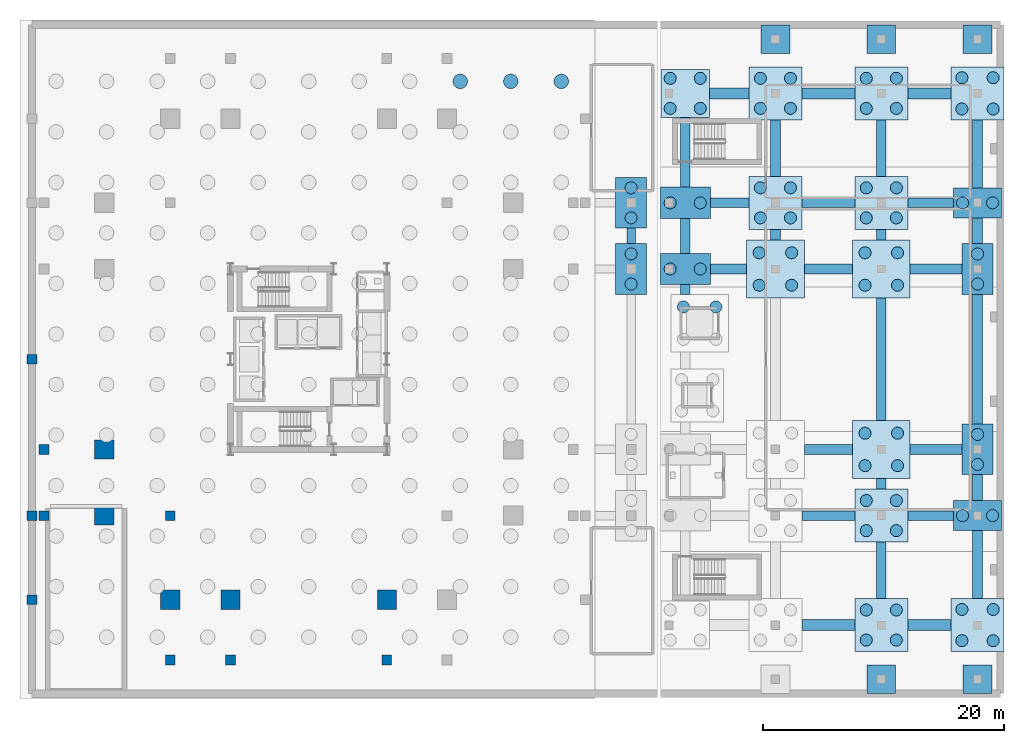
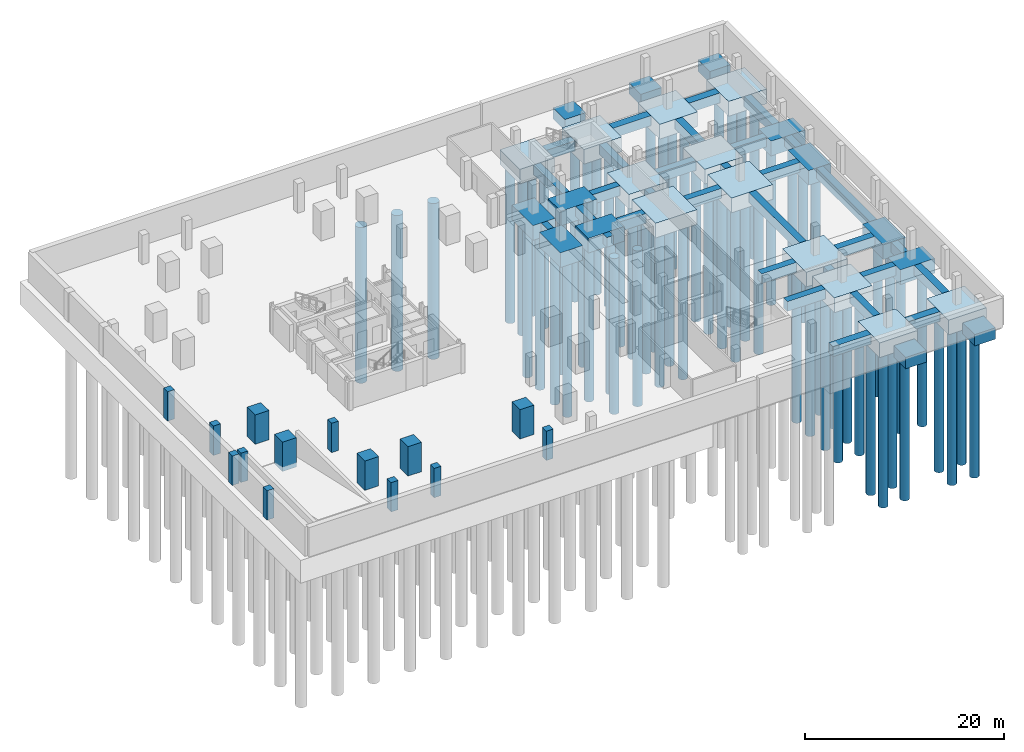
# One storey, part 2 of 13: 69 piles, 56 footings, 14 columns.
"""IFC4 building model written with IfcOpenShell, lengths in metres."""

from ifc_helpers import new_model, si_unit, direction, frame, origin, origin_2d, place, context, subcontext, project, spatial, rectangle, circle, extrude, material, material_profile, profile_set, type_object, element, save


model = new_model("IFC4")

# Units and contexts
model_context = context("Model", 3, precision=1e-05, world=origin(), true_north=direction((0.0, 1.0)))
body_context = subcontext(model_context, "Body", "Model", "MODEL_VIEW")
ifc_project = project(units=[si_unit("LENGTHUNIT", "METRE"), si_unit("AREAUNIT", "SQUARE_METRE"), si_unit("VOLUMEUNIT", "CUBIC_METRE"), si_unit("PLANEANGLEUNIT", "RADIAN"), si_unit("MASSUNIT", "GRAM", prefix="KILO")], contexts=[model_context])

# Site, building, storey
site_placement = place(None, origin())
site = spatial("IfcSite", under=ifc_project, at=site_placement, CompositionType="ELEMENT")
building_placement = place(site_placement, origin())
building = spatial("IfcBuilding", under=site, at=building_placement, Name="Barlavira Tower and Art Museum", CompositionType="ELEMENT")
storey_placement = place(building_placement, frame((0.0, 0.0, -7.199951171875)))
storey = spatial("IfcBuildingStorey", under=building, at=storey_placement, Name="B02", CompositionType="ELEMENT", Elevation=-7.199951171875)

# Footings
ifc_material_1 = material(Name="Concrete C50", Category="concrete")
footing_type_1 = type_object("IfcFootingType", Name="Four-Pile Cap 4000x4000x1800 Concrete C50", PredefinedType="PILE_CAP", material=ifc_material_1)
footing_1_placement = place(storey_placement, frame((31.300048828125, 22.10009765625, -1.80029296875), z_axis=(0.0, 0.0, 1.0), x_axis=(1.0, 0.0, 0.0)))
element("IfcFooting", 1, at=footing_1_placement, inside=storey, type_object=footing_type_1, Name="Pile Cap PC-M-1-6", PredefinedType="PILE_CAP", context=body_context, shape_type="SweptSolid", body=[
    extrude(rectangle(XDim=4.0, YDim=4.0, at=origin_2d()), origin(), (0.0, 0.0, 1.0), 1.800048828125),
])
footing_type_2 = type_object("IfcFootingType", Name="Four-Pile Cap 4400x4400x1800 Concrete C50", PredefinedType="PILE_CAP", material=ifc_material_1)
for number, where, z_axis, x_axis, name in (
    (2, (38.800048828125, 13.0, -1.80029296875), (0.0, 0.0, 1.0), (1.0, 0.0, 0.0), "Pile Cap PC-M-2-5"),
    (3, (38.800048828125, 22.10009765625, -1.80029296875), (0.0, 0.0, 1.0), (1.0, 0.0, 0.0), "Pile Cap PC-M-2-6"),
    (4, (47.60009765625, -22.10009765625, -1.80029296875), (0.0, 0.0, 1.0), (1.0, 0.0, 0.0), "Pile Cap PC-M-3-1"),
    (5, (47.60009765625, -13.0, -1.80029296875), (0.0, 0.0, 1.0), (1.0, 0.0, 0.0), "Pile Cap PC-M-3-2"),
    (6, (47.60009765625, 13.0, -1.80029296875), (0.0, 0.0, 1.0), (1.0, 0.0, 0.0), "Pile Cap PC-M-3-5"),
    (7, (47.60009765625, 22.10009765625, -1.80029296875), (0.0, 0.0, 1.0), (1.0, 0.0, 0.0), "Pile Cap PC-M-3-6"),
    (8, (55.60009765625, -22.10009765625, -1.80029296875), (0.0, 0.0, 1.0), (1.0, 0.0, 0.0), "Pile Cap PC-M-4-1"),
    (9, (55.60009765625, 22.10009765625, -1.80029296875), (0.0, 0.0, 1.0), (1.0, 0.0, 0.0), "Pile Cap PC-M-4-6"),
):
    element("IfcFooting", number, at=place(storey_placement, frame(where, z_axis=z_axis, x_axis=x_axis)), inside=storey, type_object=footing_type_2, Name=name, PredefinedType="PILE_CAP", context=body_context, shape_type="SweptSolid", body=[
        extrude(rectangle(XDim=4.39990234375, YDim=4.39990234375, at=origin_2d()), origin(), (0.0, 0.0, 1.0), 1.800048828125),
    ])
footing_type_3 = type_object("IfcFootingType", Name="Four-Pile Cap 4800x4800x1800 Concrete C50", PredefinedType="PILE_CAP", material=ifc_material_1)
for number, where, z_axis, x_axis, name in (
    (10, (38.800048828125, 7.5, -1.80029296875), (0.0, 0.0, 1.0), (1.0, 0.0, 0.0), "Pile Cap PC-M-2-4"),
    (11, (47.60009765625, -7.5, -1.80029296875), (0.0, 0.0, 1.0), (1.0, 0.0, 0.0), "Pile Cap PC-M-3-3"),
    (12, (47.60009765625, 7.5, -1.80029296875), (0.0, 0.0, 1.0), (1.0, 0.0, 0.0), "Pile Cap PC-M-3-4"),
):
    element("IfcFooting", number, at=place(storey_placement, frame(where, z_axis=z_axis, x_axis=x_axis)), inside=storey, type_object=footing_type_3, Name=name, PredefinedType="PILE_CAP", context=body_context, shape_type="SweptSolid", body=[
        extrude(rectangle(XDim=4.800048828125, YDim=4.800048828125, at=origin_2d()), origin(), (0.0, 0.0, 1.0), 1.800048828125),
    ])
footing_type_4 = type_object("IfcFootingType", Name="Garden Pergola Pad Footing 2400x2400x1400 Concrete C50", PredefinedType="PAD_FOOTING", material=ifc_material_1)
for number, where, z_axis, x_axis, name in (
    (13, (47.60009765625, -26.60009765625, -1.39990234375), (0.0, 0.0, 1.0), (1.0, 0.0, 0.0), "Sculpture Pergola Pad Footing PF-02"),
    (14, (55.60009765625, -26.60009765625, -1.39990234375), (0.0, 0.0, 1.0), (1.0, 0.0, 0.0), "Sculpture Pergola Pad Footing PF-03"),
    (15, (38.800048828125, 26.60009765625, -1.39990234375), (0.0, 0.0, 1.0), (1.0, 0.0, 0.0), "Sculpture Pergola Pad Footing PF-04"),
    (16, (47.60009765625, 26.60009765625, -1.39990234375), (0.0, 0.0, 1.0), (1.0, 0.0, 0.0), "Sculpture Pergola Pad Footing PF-05"),
    (17, (55.60009765625, 26.60009765625, -1.39990234375), (0.0, 0.0, 1.0), (1.0, 0.0, 0.0), "Sculpture Pergola Pad Footing PF-06"),
):
    element("IfcFooting", number, at=place(storey_placement, frame(where, z_axis=z_axis, x_axis=x_axis)), inside=storey, type_object=footing_type_4, Name=name, PredefinedType="PAD_FOOTING", context=body_context, shape_type="SweptSolid", body=[
        extrude(rectangle(XDim=2.39990234375, YDim=2.39990234375, at=origin_2d()), origin(), (0.0, 0.0, 1.0), 1.39990234375),
    ])

# Piles
ifc_material_profile_1 = material_profile(ifc_material_1, circle(Radius=0.5, at=origin_2d()), Name="BORED PILE D1000")
ifc_profile_set_1 = profile_set([ifc_material_profile_1], Name="Concrete C50")
pile_type_1 = type_object("IfcPileType", Name="Rock-Socketed Bored Pile D1000 Concrete C50", PredefinedType="BORED", material=ifc_profile_set_1)
for number, where, z_axis, x_axis, name in (
    (18, (26.800048828125, 6.25, -1.699951171875), (0.0, 0.0, -1.0), (1.0, 0.0, 0.0), "Museum Cap Bored Pile PL-M-005"),
    (19, (26.800048828125, 8.75, -1.699951171875), (0.0, 0.0, -1.0), (1.0, 0.0, 0.0), "Museum Cap Bored Pile PL-M-006"),
    (20, (26.800048828125, 11.75, -1.699951171875), (0.0, 0.0, -1.0), (1.0, 0.0, 0.0), "Museum Cap Bored Pile PL-M-007"),
    (21, (26.800048828125, 14.25, -1.699951171875), (0.0, 0.0, -1.0), (1.0, 0.0, 0.0), "Museum Cap Bored Pile PL-M-008"),
    (22, (30.050048828125, 7.5, -1.699951171875), (0.0, 0.0, -1.0), (1.0, 0.0, 0.0), "Museum Cap Bored Pile PL-M-017"),
    (23, (32.550048828125, 7.5, -1.699951171875), (0.0, 0.0, -1.0), (1.0, 0.0, 0.0), "Museum Cap Bored Pile PL-M-018"),
    (24, (30.050048828125, 13.0, -1.699951171875), (0.0, 0.0, -1.0), (1.0, 0.0, 0.0), "Museum Cap Bored Pile PL-M-019"),
    (25, (32.550048828125, 13.0, -1.699951171875), (0.0, 0.0, -1.0), (1.0, 0.0, 0.0), "Museum Cap Bored Pile PL-M-020"),
    (26, (30.050048828125, 20.85009765625, -1.699951171875), (0.0, 0.0, -1.0), (1.0, 0.0, 0.0), "Museum Cap Bored Pile PL-M-021"),
    (27, (32.550048828125, 20.85009765625, -1.699951171875), (0.0, 0.0, -1.0), (1.0, 0.0, 0.0), "Museum Cap Bored Pile PL-M-022"),
    (28, (30.050048828125, 23.35009765625, -1.699951171875), (0.0, 0.0, -1.0), (1.0, 0.0, 0.0), "Museum Cap Bored Pile PL-M-023"),
    (29, (32.550048828125, 23.35009765625, -1.699951171875), (0.0, 0.0, -1.0), (1.0, 0.0, 0.0), "Museum Cap Bored Pile PL-M-024"),
    (30, (37.449951171875, 6.14990234375, -1.699951171875), (0.0, 0.0, -1.0), (1.0, 0.0, 0.0), "Museum Cap Bored Pile PL-M-037"),
    (31, (40.14990234375, 6.14990234375, -1.699951171875), (0.0, 0.0, -1.0), (1.0, 0.0, 0.0), "Museum Cap Bored Pile PL-M-038"),
    (32, (37.449951171875, 8.85009765625, -1.699951171875), (0.0, 0.0, -1.0), (1.0, 0.0, 0.0), "Museum Cap Bored Pile PL-M-039"),
    (33, (40.14990234375, 8.85009765625, -1.699951171875), (0.0, 0.0, -1.0), (1.0, 0.0, 0.0), "Museum Cap Bored Pile PL-M-040"),
    (34, (37.550048828125, 11.75, -1.699951171875), (0.0, 0.0, -1.0), (1.0, 0.0, 0.0), "Museum Cap Bored Pile PL-M-041"),
    (35, (40.050048828125, 11.75, -1.699951171875), (0.0, 0.0, -1.0), (1.0, 0.0, 0.0), "Museum Cap Bored Pile PL-M-042"),
    (36, (37.550048828125, 14.25, -1.699951171875), (0.0, 0.0, -1.0), (1.0, 0.0, 0.0), "Museum Cap Bored Pile PL-M-043"),
    (37, (40.050048828125, 14.25, -1.699951171875), (0.0, 0.0, -1.0), (1.0, 0.0, 0.0), "Museum Cap Bored Pile PL-M-044"),
    (38, (37.550048828125, 20.85009765625, -1.699951171875), (0.0, 0.0, -1.0), (1.0, 0.0, 0.0), "Museum Cap Bored Pile PL-M-045"),
    (39, (40.050048828125, 20.85009765625, -1.699951171875), (0.0, 0.0, -1.0), (1.0, 0.0, 0.0), "Museum Cap Bored Pile PL-M-046"),
    (40, (37.550048828125, 23.35009765625, -1.699951171875), (0.0, 0.0, -1.0), (1.0, 0.0, 0.0), "Museum Cap Bored Pile PL-M-047"),
    (41, (40.050048828125, 23.35009765625, -1.699951171875), (0.0, 0.0, -1.0), (1.0, 0.0, 0.0), "Museum Cap Bored Pile PL-M-048"),
    (42, (46.35009765625, -23.35009765625, -1.699951171875), (0.0, 0.0, -1.0), (1.0, 0.0, 0.0), "Museum Cap Bored Pile PL-M-049"),
    (43, (48.85009765625, -23.35009765625, -1.699951171875), (0.0, 0.0, -1.0), (1.0, 0.0, 0.0), "Museum Cap Bored Pile PL-M-050"),
    (44, (46.35009765625, -20.85009765625, -1.699951171875), (0.0, 0.0, -1.0), (1.0, 0.0, 0.0), "Museum Cap Bored Pile PL-M-051"),
    (45, (48.85009765625, -20.85009765625, -1.699951171875), (0.0, 0.0, -1.0), (1.0, 0.0, 0.0), "Museum Cap Bored Pile PL-M-052"),
    (46, (46.35009765625, -14.25, -1.699951171875), (0.0, 0.0, -1.0), (1.0, 0.0, 0.0), "Museum Cap Bored Pile PL-M-053"),
    (47, (48.85009765625, -14.25, -1.699951171875), (0.0, 0.0, -1.0), (1.0, 0.0, 0.0), "Museum Cap Bored Pile PL-M-054"),
    (48, (46.35009765625, -11.75, -1.699951171875), (0.0, 0.0, -1.0), (1.0, 0.0, 0.0), "Museum Cap Bored Pile PL-M-055"),
    (49, (48.85009765625, -11.75, -1.699951171875), (0.0, 0.0, -1.0), (1.0, 0.0, 0.0), "Museum Cap Bored Pile PL-M-056"),
    (50, (46.25, -8.85009765625, -1.699951171875), (0.0, 0.0, -1.0), (1.0, 0.0, 0.0), "Museum Cap Bored Pile PL-M-057"),
    (51, (48.949951171875, -8.85009765625, -1.699951171875), (0.0, 0.0, -1.0), (1.0, 0.0, 0.0), "Museum Cap Bored Pile PL-M-058"),
    (52, (46.25, -6.14990234375, -1.699951171875), (0.0, 0.0, -1.0), (1.0, 0.0, 0.0), "Museum Cap Bored Pile PL-M-059"),
    (53, (48.949951171875, -6.14990234375, -1.699951171875), (0.0, 0.0, -1.0), (1.0, 0.0, 0.0), "Museum Cap Bored Pile PL-M-060"),
    (54, (46.25, 6.14990234375, -1.699951171875), (0.0, 0.0, -1.0), (1.0, 0.0, 0.0), "Museum Cap Bored Pile PL-M-061"),
    (55, (48.949951171875, 6.14990234375, -1.699951171875), (0.0, 0.0, -1.0), (1.0, 0.0, 0.0), "Museum Cap Bored Pile PL-M-062"),
    (56, (46.25, 8.85009765625, -1.699951171875), (0.0, 0.0, -1.0), (1.0, 0.0, 0.0), "Museum Cap Bored Pile PL-M-063"),
    (57, (48.949951171875, 8.85009765625, -1.699951171875), (0.0, 0.0, -1.0), (1.0, 0.0, 0.0), "Museum Cap Bored Pile PL-M-064"),
    (58, (46.35009765625, 11.75, -1.699951171875), (0.0, 0.0, -1.0), (1.0, 0.0, 0.0), "Museum Cap Bored Pile PL-M-065"),
    (59, (48.85009765625, 11.75, -1.699951171875), (0.0, 0.0, -1.0), (1.0, 0.0, 0.0), "Museum Cap Bored Pile PL-M-066"),
    (60, (46.35009765625, 14.25, -1.699951171875), (0.0, 0.0, -1.0), (1.0, 0.0, 0.0), "Museum Cap Bored Pile PL-M-067"),
    (61, (48.85009765625, 14.25, -1.699951171875), (0.0, 0.0, -1.0), (1.0, 0.0, 0.0), "Museum Cap Bored Pile PL-M-068"),
    (62, (46.35009765625, 20.85009765625, -1.699951171875), (0.0, 0.0, -1.0), (1.0, 0.0, 0.0), "Museum Cap Bored Pile PL-M-069"),
    (63, (48.85009765625, 20.85009765625, -1.699951171875), (0.0, 0.0, -1.0), (1.0, 0.0, 0.0), "Museum Cap Bored Pile PL-M-070"),
    (64, (46.35009765625, 23.35009765625, -1.699951171875), (0.0, 0.0, -1.0), (1.0, 0.0, 0.0), "Museum Cap Bored Pile PL-M-071"),
    (65, (48.85009765625, 23.35009765625, -1.699951171875), (0.0, 0.0, -1.0), (1.0, 0.0, 0.0), "Museum Cap Bored Pile PL-M-072"),
    (66, (54.300048828125, -23.39990234375, -1.699951171875), (0.0, 0.0, -1.0), (1.0, 0.0, 0.0), "Museum Cap Bored Pile PL-M-073"),
    (67, (56.89990234375, -23.39990234375, -1.699951171875), (0.0, 0.0, -1.0), (1.0, 0.0, 0.0), "Museum Cap Bored Pile PL-M-074"),
    (68, (54.300048828125, -20.800048828125, -1.699951171875), (0.0, 0.0, -1.0), (1.0, 0.0, 0.0), "Museum Cap Bored Pile PL-M-075"),
    (69, (56.89990234375, -20.800048828125, -1.699951171875), (0.0, 0.0, -1.0), (1.0, 0.0, 0.0), "Museum Cap Bored Pile PL-M-076"),
    (70, (54.35009765625, -13.0, -1.699951171875), (0.0, 0.0, -1.0), (1.0, 0.0, 0.0), "Museum Cap Bored Pile PL-M-077"),
    (71, (56.85009765625, -13.0, -1.699951171875), (0.0, 0.0, -1.0), (1.0, 0.0, 0.0), "Museum Cap Bored Pile PL-M-078"),
    (72, (55.60009765625, -8.75, -1.699951171875), (0.0, 0.0, -1.0), (1.0, 0.0, 0.0), "Museum Cap Bored Pile PL-M-079"),
    (73, (55.60009765625, -6.25, -1.699951171875), (0.0, 0.0, -1.0), (1.0, 0.0, 0.0), "Museum Cap Bored Pile PL-M-080"),
    (74, (55.60009765625, 6.25, -1.699951171875), (0.0, 0.0, -1.0), (1.0, 0.0, 0.0), "Museum Cap Bored Pile PL-M-081"),
    (75, (55.60009765625, 8.75, -1.699951171875), (0.0, 0.0, -1.0), (1.0, 0.0, 0.0), "Museum Cap Bored Pile PL-M-082"),
    (76, (54.35009765625, 13.0, -1.699951171875), (0.0, 0.0, -1.0), (1.0, 0.0, 0.0), "Museum Cap Bored Pile PL-M-083"),
    (77, (56.85009765625, 13.0, -1.699951171875), (0.0, 0.0, -1.0), (1.0, 0.0, 0.0), "Museum Cap Bored Pile PL-M-084"),
    (78, (54.300048828125, 20.800048828125, -1.699951171875), (0.0, 0.0, -1.0), (1.0, 0.0, 0.0), "Museum Cap Bored Pile PL-M-085"),
    (79, (56.89990234375, 20.800048828125, -1.699951171875), (0.0, 0.0, -1.0), (1.0, 0.0, 0.0), "Museum Cap Bored Pile PL-M-086"),
    (80, (54.300048828125, 23.39990234375, -1.699951171875), (0.0, 0.0, -1.0), (1.0, 0.0, 0.0), "Museum Cap Bored Pile PL-M-087"),
    (81, (56.89990234375, 23.39990234375, -1.699951171875), (0.0, 0.0, -1.0), (1.0, 0.0, 0.0), "Museum Cap Bored Pile PL-M-088"),
    (82, (31.14990234375, 4.35009765625, -1.699951171875), (0.0, 0.0, -1.0), (1.0, 0.0, 0.0), "Museum Cap Bored Pile PL-M-095"),
    (83, (33.85009765625, 4.35009765625, -1.699951171875), (0.0, 0.0, -1.0), (1.0, 0.0, 0.0), "Museum Cap Bored Pile PL-M-096"),
):
    element("IfcPile", number, at=place(storey_placement, frame(where, z_axis=z_axis, x_axis=x_axis)), inside=storey, type_object=pile_type_1, Name=name, PredefinedType="BORED", context=body_context, shape_type="SweptSolid", body=[
        extrude(circle(Radius=0.5, at=origin_2d()), origin(), (0.0, 0.0, 1.0), 19.10009765625),
    ])
ifc_material_profile_2 = material_profile(ifc_material_1, circle(Radius=0.60009765625, at=origin_2d()), Name="BORED PILE D1200")
ifc_profile_set_2 = profile_set([ifc_material_profile_2], Name="Concrete C50")
pile_type_2 = type_object("IfcPileType", Name="Rock-Socketed Bored Pile D1200 Concrete C50", PredefinedType="BORED", material=ifc_profile_set_2)
for number, where, z_axis, x_axis, name in (
    (84, (12.60009765625, 23.10009765625, -2.699951171875), (0.0, 0.0, -1.0), (1.0, 0.0, 0.0), "Tower Bored Pile PL-T-108"),
    (85, (16.800048828125, 23.10009765625, -2.699951171875), (0.0, 0.0, -1.0), (1.0, 0.0, 0.0), "Tower Bored Pile PL-T-120"),
    (86, (21.0, 23.10009765625, -2.699951171875), (0.0, 0.0, -1.0), (1.0, 0.0, 0.0), "Tower Bored Pile PL-T-132"),
):
    element("IfcPile", number, at=place(storey_placement, frame(where, z_axis=z_axis, x_axis=x_axis)), inside=storey, type_object=pile_type_2, Name=name, PredefinedType="BORED", context=body_context, shape_type="SweptSolid", body=[
        extrude(circle(Radius=0.60009765625, at=origin_2d()), origin(), (0.0, 0.0, 1.0), 19.10009765625),
    ])

# Footings
footing_type_5 = type_object("IfcFootingType", Name="Substructure Tie Beam 700x1100 Concrete C50", PredefinedType="FOOTING_BEAM", material=ifc_material_1)
footing_2_placement = place(storey_placement, frame((26.800048828125, 10.25, -1.10009765625), z_axis=(0.0, 0.0, 1.0), x_axis=(1.0, 0.0, 0.0)))
element("IfcFooting", 87, at=footing_2_placement, inside=storey, type_object=footing_type_5, Name="Arcade Longitudinal Tie Beam FB-006", PredefinedType="FOOTING_BEAM", context=body_context, shape_type="SweptSolid", body=[
    extrude(rectangle(XDim=0.699951171875, YDim=1.300048828125, at=origin_2d()), origin(), (0.0, 0.0, 1.0), 1.10009765625),
])
footing_type_6 = type_object("IfcFootingType", Name="Substructure Tie Beam 800x1200 Concrete C50", PredefinedType="FOOTING_BEAM", material=ifc_material_1)
footing_3_placement = place(storey_placement, frame((31.300048828125, 5.800048828125, -1.2001953125), z_axis=(0.0, 0.0, 1.0), x_axis=(1.0, 0.0, 0.0)))
element("IfcFooting", 88, at=footing_3_placement, inside=storey, type_object=footing_type_6, Name="Museum Tie Beam FB-015", PredefinedType="FOOTING_BEAM", context=body_context, shape_type="SweptSolid", body=[
    extrude(rectangle(XDim=0.800048828125, YDim=0.800048828125, at=origin_2d()), origin(), (0.0, 0.0, 1.0), 1.199951171875),
])
footing_4_placement = place(storey_placement, frame((34.89990234375, 7.5, -1.2001953125), z_axis=(0.0, 0.0, 1.0), x_axis=(1.0, 0.0, 0.0)))
element("IfcFooting", 89, at=footing_4_placement, inside=storey, type_object=footing_type_6, Name="Museum Tie Beam FB-016", PredefinedType="FOOTING_BEAM", context=body_context, shape_type="SweptSolid", body=[
    extrude(rectangle(XDim=3.0, YDim=0.800048828125, at=origin_2d()), origin(), (0.0, 0.0, 1.0), 1.199951171875),
])
footing_5_placement = place(storey_placement, frame((31.300048828125, 10.25, -1.2001953125), z_axis=(0.0, 0.0, 1.0), x_axis=(1.0, 0.0, 0.0)))
element("IfcFooting", 90, at=footing_5_placement, inside=storey, type_object=footing_type_6, Name="Museum Tie Beam FB-017", PredefinedType="FOOTING_BEAM", context=body_context, shape_type="SweptSolid", body=[
    extrude(rectangle(XDim=0.800048828125, YDim=2.89990234375, at=origin_2d()), origin(), (0.0, 0.0, 1.0), 1.199951171875),
])
footing_6_placement = place(storey_placement, frame((35.0, 13.0, -1.2001953125), z_axis=(0.0, 0.0, 1.0), x_axis=(1.0, 0.0, 0.0)))
element("IfcFooting", 91, at=footing_6_placement, inside=storey, type_object=footing_type_6, Name="Museum Tie Beam FB-018", PredefinedType="FOOTING_BEAM", context=body_context, shape_type="SweptSolid", body=[
    extrude(rectangle(XDim=3.199951171875, YDim=0.800048828125, at=origin_2d()), origin(), (0.0, 0.0, 1.0), 1.199951171875),
])
footing_7_placement = place(storey_placement, frame((31.300048828125, 17.199951171875, -1.2001953125), z_axis=(0.0, 0.0, 1.0), x_axis=(1.0, 0.0, 0.0)))
element("IfcFooting", 92, at=footing_7_placement, inside=storey, type_object=footing_type_6, Name="Museum Tie Beam FB-019", PredefinedType="FOOTING_BEAM", context=body_context, shape_type="SweptSolid", body=[
    extrude(rectangle(XDim=0.800048828125, YDim=5.800048828125, at=origin_2d()), origin(), (0.0, 0.0, 1.0), 1.199951171875),
])
footing_8_placement = place(storey_placement, frame((43.199951171875, -13.0, -1.2001953125), z_axis=(0.0, 0.0, 1.0), x_axis=(1.0, 0.0, 0.0)))
element("IfcFooting", 93, at=footing_8_placement, inside=storey, type_object=footing_type_6, Name="Museum Tie Beam FB-023", PredefinedType="FOOTING_BEAM", context=body_context, shape_type="SweptSolid", body=[
    extrude(rectangle(XDim=4.39990234375, YDim=0.800048828125, at=origin_2d()), origin(), (0.0, 0.0, 1.0), 1.199951171875),
])
for number, where, z_axis, x_axis, name in (
    (94, (43.199951171875, -7.5, -1.2001953125), (0.0, 0.0, 1.0), (1.0, 0.0, 0.0), "Museum Tie Beam FB-025"),
    (95, (43.199951171875, 7.5, -1.2001953125), (0.0, 0.0, 1.0), (1.0, 0.0, 0.0), "Museum Tie Beam FB-027"),
):
    element("IfcFooting", number, at=place(storey_placement, frame(where, z_axis=z_axis, x_axis=x_axis)), inside=storey, type_object=footing_type_6, Name=name, PredefinedType="FOOTING_BEAM", context=body_context, shape_type="SweptSolid", body=[
        extrude(rectangle(XDim=4.0, YDim=0.800048828125, at=origin_2d()), origin(), (0.0, 0.0, 1.0), 1.199951171875),
    ])
footing_9_placement = place(storey_placement, frame((38.800048828125, 10.35009765625, -1.2001953125), z_axis=(0.0, 0.0, 1.0), x_axis=(1.0, 0.0, 0.0)))
element("IfcFooting", 96, at=footing_9_placement, inside=storey, type_object=footing_type_6, Name="Museum Tie Beam FB-028", PredefinedType="FOOTING_BEAM", context=body_context, shape_type="SweptSolid", body=[
    extrude(rectangle(XDim=0.800048828125, YDim=0.89990234375, at=origin_2d()), origin(), (0.0, 0.0, 1.0), 1.199951171875),
])
footing_10_placement = place(storey_placement, frame((43.199951171875, 13.0, -1.2001953125), z_axis=(0.0, 0.0, 1.0), x_axis=(1.0, 0.0, 0.0)))
element("IfcFooting", 97, at=footing_10_placement, inside=storey, type_object=footing_type_6, Name="Museum Tie Beam FB-029", PredefinedType="FOOTING_BEAM", context=body_context, shape_type="SweptSolid", body=[
    extrude(rectangle(XDim=4.39990234375, YDim=0.800048828125, at=origin_2d()), origin(), (0.0, 0.0, 1.0), 1.199951171875),
])
for number, where, z_axis, x_axis, name in (
    (98, (38.800048828125, 17.550048828125, -1.2001953125), (0.0, 0.0, 1.0), (1.0, 0.0, 0.0), "Museum Tie Beam FB-030"),
    (99, (47.60009765625, -17.550048828125, -1.2001953125), (0.0, 0.0, 1.0), (1.0, 0.0, 0.0), "Museum Tie Beam FB-033"),
):
    element("IfcFooting", number, at=place(storey_placement, frame(where, z_axis=z_axis, x_axis=x_axis)), inside=storey, type_object=footing_type_6, Name=name, PredefinedType="FOOTING_BEAM", context=body_context, shape_type="SweptSolid", body=[
        extrude(rectangle(XDim=0.800048828125, YDim=4.699951171875, at=origin_2d()), origin(), (0.0, 0.0, 1.0), 1.199951171875),
    ])
footing_11_placement = place(storey_placement, frame((51.699951171875, -13.0, -1.2001953125), z_axis=(0.0, 0.0, 1.0), x_axis=(1.0, 0.0, 0.0)))
element("IfcFooting", 100, at=footing_11_placement, inside=storey, type_object=footing_type_6, Name="Museum Tie Beam FB-034", PredefinedType="FOOTING_BEAM", context=body_context, shape_type="SweptSolid", body=[
    extrude(rectangle(XDim=3.800048828125, YDim=0.800048828125, at=origin_2d()), origin(), (0.0, 0.0, 1.0), 1.199951171875),
])
footing_12_placement = place(storey_placement, frame((47.60009765625, -10.35009765625, -1.2001953125), z_axis=(0.0, 0.0, 1.0), x_axis=(1.0, 0.0, 0.0)))
element("IfcFooting", 101, at=footing_12_placement, inside=storey, type_object=footing_type_6, Name="Museum Tie Beam FB-035", PredefinedType="FOOTING_BEAM", context=body_context, shape_type="SweptSolid", body=[
    extrude(rectangle(XDim=0.800048828125, YDim=0.89990234375, at=origin_2d()), origin(), (0.0, 0.0, 1.0), 1.199951171875),
])
footing_13_placement = place(storey_placement, frame((52.14990234375, -7.5, -1.2001953125), z_axis=(0.0, 0.0, 1.0), x_axis=(1.0, 0.0, 0.0)))
element("IfcFooting", 102, at=footing_13_placement, inside=storey, type_object=footing_type_6, Name="Museum Tie Beam FB-036", PredefinedType="FOOTING_BEAM", context=body_context, shape_type="SweptSolid", body=[
    extrude(rectangle(XDim=4.300048828125, YDim=0.800048828125, at=origin_2d()), origin(), (0.0, 0.0, 1.0), 1.199951171875),
])
footing_14_placement = place(storey_placement, frame((47.60009765625, 0.0, -1.2001953125), z_axis=(0.0, 0.0, 1.0), x_axis=(1.0, 0.0, 0.0)))
element("IfcFooting", 103, at=footing_14_placement, inside=storey, type_object=footing_type_6, Name="Museum Tie Beam FB-037", PredefinedType="FOOTING_BEAM", context=body_context, shape_type="SweptSolid", body=[
    extrude(rectangle(XDim=0.800048828125, YDim=10.199951171875, at=origin_2d()), origin(), (0.0, 0.0, 1.0), 1.199951171875),
])
footing_15_placement = place(storey_placement, frame((52.14990234375, 7.5, -1.2001953125), z_axis=(0.0, 0.0, 1.0), x_axis=(1.0, 0.0, 0.0)))
element("IfcFooting", 104, at=footing_15_placement, inside=storey, type_object=footing_type_6, Name="Museum Tie Beam FB-038", PredefinedType="FOOTING_BEAM", context=body_context, shape_type="SweptSolid", body=[
    extrude(rectangle(XDim=4.300048828125, YDim=0.800048828125, at=origin_2d()), origin(), (0.0, 0.0, 1.0), 1.199951171875),
])
footing_16_placement = place(storey_placement, frame((47.60009765625, 10.35009765625, -1.2001953125), z_axis=(0.0, 0.0, 1.0), x_axis=(1.0, 0.0, 0.0)))
element("IfcFooting", 105, at=footing_16_placement, inside=storey, type_object=footing_type_6, Name="Museum Tie Beam FB-039", PredefinedType="FOOTING_BEAM", context=body_context, shape_type="SweptSolid", body=[
    extrude(rectangle(XDim=0.800048828125, YDim=0.89990234375, at=origin_2d()), origin(), (0.0, 0.0, 1.0), 1.199951171875),
])
footing_17_placement = place(storey_placement, frame((51.699951171875, 13.0, -1.2001953125), z_axis=(0.0, 0.0, 1.0), x_axis=(1.0, 0.0, 0.0)))
element("IfcFooting", 106, at=footing_17_placement, inside=storey, type_object=footing_type_6, Name="Museum Tie Beam FB-040", PredefinedType="FOOTING_BEAM", context=body_context, shape_type="SweptSolid", body=[
    extrude(rectangle(XDim=3.800048828125, YDim=0.800048828125, at=origin_2d()), origin(), (0.0, 0.0, 1.0), 1.199951171875),
])
footing_18_placement = place(storey_placement, frame((47.60009765625, 17.550048828125, -1.2001953125), z_axis=(0.0, 0.0, 1.0), x_axis=(1.0, 0.0, 0.0)))
element("IfcFooting", 107, at=footing_18_placement, inside=storey, type_object=footing_type_6, Name="Museum Tie Beam FB-041", PredefinedType="FOOTING_BEAM", context=body_context, shape_type="SweptSolid", body=[
    extrude(rectangle(XDim=0.800048828125, YDim=4.699951171875, at=origin_2d()), origin(), (0.0, 0.0, 1.0), 1.199951171875),
])
footing_19_placement = place(storey_placement, frame((55.60009765625, -17.074951171875, -1.2001953125), z_axis=(0.0, 0.0, 1.0), x_axis=(1.0, 0.0, 0.0)))
element("IfcFooting", 108, at=footing_19_placement, inside=storey, type_object=footing_type_6, Name="Museum Tie Beam FB-043", PredefinedType="FOOTING_BEAM", context=body_context, shape_type="SweptSolid", body=[
    extrude(rectangle(XDim=0.800048828125, YDim=5.64990234375, at=origin_2d()), origin(), (0.0, 0.0, 1.0), 1.199951171875),
])
footing_20_placement = place(storey_placement, frame((55.60009765625, -10.675048828125, -1.2001953125), z_axis=(0.0, 0.0, 1.0), x_axis=(1.0, 0.0, 0.0)))
element("IfcFooting", 109, at=footing_20_placement, inside=storey, type_object=footing_type_6, Name="Museum Tie Beam FB-044", PredefinedType="FOOTING_BEAM", context=body_context, shape_type="SweptSolid", body=[
    extrude(rectangle(XDim=0.800048828125, YDim=2.14990234375, at=origin_2d()), origin(), (0.0, 0.0, 1.0), 1.199951171875),
])
footing_21_placement = place(storey_placement, frame((55.60009765625, 0.0, -1.2001953125), z_axis=(0.0, 0.0, 1.0), x_axis=(1.0, 0.0, 0.0)))
element("IfcFooting", 110, at=footing_21_placement, inside=storey, type_object=footing_type_6, Name="Museum Tie Beam FB-045", PredefinedType="FOOTING_BEAM", context=body_context, shape_type="SweptSolid", body=[
    extrude(rectangle(XDim=0.800048828125, YDim=10.800048828125, at=origin_2d()), origin(), (0.0, 0.0, 1.0), 1.199951171875),
])
footing_22_placement = place(storey_placement, frame((55.60009765625, 10.675048828125, -1.2001953125), z_axis=(0.0, 0.0, 1.0), x_axis=(1.0, 0.0, 0.0)))
element("IfcFooting", 111, at=footing_22_placement, inside=storey, type_object=footing_type_6, Name="Museum Tie Beam FB-046", PredefinedType="FOOTING_BEAM", context=body_context, shape_type="SweptSolid", body=[
    extrude(rectangle(XDim=0.800048828125, YDim=2.14990234375, at=origin_2d()), origin(), (0.0, 0.0, 1.0), 1.199951171875),
])
footing_23_placement = place(storey_placement, frame((55.60009765625, 17.074951171875, -1.2001953125), z_axis=(0.0, 0.0, 1.0), x_axis=(1.0, 0.0, 0.0)))
element("IfcFooting", 112, at=footing_23_placement, inside=storey, type_object=footing_type_6, Name="Museum Tie Beam FB-047", PredefinedType="FOOTING_BEAM", context=body_context, shape_type="SweptSolid", body=[
    extrude(rectangle(XDim=0.800048828125, YDim=5.64990234375, at=origin_2d()), origin(), (0.0, 0.0, 1.0), 1.199951171875),
])
footing_type_7 = type_object("IfcFootingType", Name="Substructure Tie Beam 900x1200 Concrete C50", PredefinedType="FOOTING_BEAM", material=ifc_material_1)
footing_24_placement = place(storey_placement, frame((34.949951171875, 22.10009765625, -1.2001953125), z_axis=(0.0, 0.0, 1.0), x_axis=(1.0, 0.0, 0.0)))
element("IfcFooting", 113, at=footing_24_placement, inside=storey, type_object=footing_type_7, Name="Museum Tie Beam FB-020", PredefinedType="FOOTING_BEAM", context=body_context, shape_type="SweptSolid", body=[
    extrude(rectangle(XDim=3.300048828125, YDim=0.89990234375, at=origin_2d()), origin(), (0.0, 0.0, 1.0), 1.199951171875),
])
for number, where, z_axis, x_axis, name in (
    (114, (43.199951171875, -22.10009765625, -1.2001953125), (0.0, 0.0, 1.0), (1.0, 0.0, 0.0), "Museum Tie Beam FB-021"),
    (115, (43.199951171875, 22.10009765625, -1.2001953125), (0.0, 0.0, 1.0), (1.0, 0.0, 0.0), "Museum Tie Beam FB-031"),
):
    element("IfcFooting", number, at=place(storey_placement, frame(where, z_axis=z_axis, x_axis=x_axis)), inside=storey, type_object=footing_type_7, Name=name, PredefinedType="FOOTING_BEAM", context=body_context, shape_type="SweptSolid", body=[
        extrude(rectangle(XDim=4.39990234375, YDim=0.89990234375, at=origin_2d()), origin(), (0.0, 0.0, 1.0), 1.199951171875),
    ])
for number, where, z_axis, x_axis, name in (
    (116, (51.60009765625, -22.10009765625, -1.2001953125), (0.0, 0.0, 1.0), (1.0, 0.0, 0.0), "Museum Tie Beam FB-032"),
    (117, (51.60009765625, 22.10009765625, -1.2001953125), (0.0, 0.0, 1.0), (1.0, 0.0, 0.0), "Museum Tie Beam FB-042"),
):
    element("IfcFooting", number, at=place(storey_placement, frame(where, z_axis=z_axis, x_axis=x_axis)), inside=storey, type_object=footing_type_7, Name=name, PredefinedType="FOOTING_BEAM", context=body_context, shape_type="SweptSolid", body=[
        extrude(rectangle(XDim=3.60009765625, YDim=0.89990234375, at=origin_2d()), origin(), (0.0, 0.0, 1.0), 1.199951171875),
    ])
footing_type_8 = type_object("IfcFootingType", Name="Two-Pile Cap 2600x4200x1800 Concrete C50", PredefinedType="PILE_CAP", material=ifc_material_1)
for number, where, z_axis, x_axis, name in (
    (118, (26.800048828125, 7.5, -1.80029296875), (0.0, 0.0, 1.0), (1.0, 0.0, 0.0), "Pile Cap PC-ARC-3"),
    (119, (26.800048828125, 13.0, -1.80029296875), (0.0, 0.0, 1.0), (1.0, 0.0, 0.0), "Pile Cap PC-ARC-4"),
    (120, (55.60009765625, -7.5, -1.80029296875), (0.0, 0.0, 1.0), (1.0, 0.0, 0.0), "Pile Cap PC-M-4-3"),
    (121, (55.60009765625, 7.5, -1.80029296875), (0.0, 0.0, 1.0), (1.0, 0.0, 0.0), "Pile Cap PC-M-4-4"),
):
    element("IfcFooting", number, at=place(storey_placement, frame(where, z_axis=z_axis, x_axis=x_axis)), inside=storey, type_object=footing_type_8, Name=name, PredefinedType="PILE_CAP", context=body_context, shape_type="SweptSolid", body=[
        extrude(rectangle(XDim=2.60009765625, YDim=4.199951171875, at=origin_2d()), origin(), (0.0, 0.0, 1.0), 1.800048828125),
    ])
footing_type_9 = type_object("IfcFootingType", Name="Two-Pile Cap 4000x2500x1800 Concrete C50", PredefinedType="PILE_CAP", material=ifc_material_1)
for number, where, z_axis, x_axis, name in (
    (122, (55.60009765625, -13.0, -1.80029296875), (0.0, 0.0, 1.0), (1.0, 0.0, 0.0), "Pile Cap PC-M-4-2"),
    (123, (55.60009765625, 13.0, -1.80029296875), (0.0, 0.0, 1.0), (1.0, 0.0, 0.0), "Pile Cap PC-M-4-5"),
):
    element("IfcFooting", number, at=place(storey_placement, frame(where, z_axis=z_axis, x_axis=x_axis)), inside=storey, type_object=footing_type_9, Name=name, PredefinedType="PILE_CAP", context=body_context, shape_type="SweptSolid", body=[
        extrude(rectangle(XDim=4.0, YDim=2.5, at=origin_2d()), origin(), (0.0, 0.0, 1.0), 1.800048828125),
    ])
footing_type_10 = type_object("IfcFootingType", Name="Two-Pile Cap 4200x2600x1800 Concrete C50", PredefinedType="PILE_CAP", material=ifc_material_1)
for number, where, z_axis, x_axis, name in (
    (124, (31.300048828125, 7.5, -1.80029296875), (0.0, 0.0, 1.0), (1.0, 0.0, 0.0), "Pile Cap PC-M-1-4"),
    (125, (31.300048828125, 13.0, -1.80029296875), (0.0, 0.0, 1.0), (1.0, 0.0, 0.0), "Pile Cap PC-M-1-5"),
):
    element("IfcFooting", number, at=place(storey_placement, frame(where, z_axis=z_axis, x_axis=x_axis)), inside=storey, type_object=footing_type_10, Name=name, PredefinedType="PILE_CAP", context=body_context, shape_type="SweptSolid", body=[
        extrude(rectangle(XDim=4.199951171875, YDim=2.60009765625, at=origin_2d()), origin(), (0.0, 0.0, 1.0), 1.800048828125),
    ])

# Columns
ifc_material_2 = material(Name="Concrete C60", Category="concrete")
ifc_material_profile_3 = material_profile(ifc_material_2, rectangle(XDim=1.60009765625, YDim=1.60009765625, at=origin_2d()), Name="RC-MCOL 1600x1600")
ifc_profile_set_3 = profile_set([ifc_material_profile_3], Name="Concrete C60")
column_type_1 = type_object("IfcColumnType", Name="Perimeter Mega Column 1600x1600 Concrete C60", PredefinedType="USERDEFINED", material=ifc_profile_set_3)
for number, where, z_axis, x_axis, name in (
    (126, (-11.5, -20.0, 0.0), (0.0, 0.0, 1.0), (1.0, 0.0, 0.0), "B02 Column MC-B02-M01"),
    (127, (-6.5, -20.0, 0.0), (0.0, 0.0, 1.0), (1.0, 0.0, 0.0), "B02 Column MC-B02-M02"),
    (128, (6.5, -20.0, 0.0), (0.0, 0.0, 1.0), (1.0, 0.0, 0.0), "B02 Column MC-B02-M03"),
    (129, (-17.0, -7.5, 0.0), (0.0, 0.0, 1.0), (1.0, 0.0, 0.0), "B02 Column MC-B02-M15"),
    (130, (-17.0, -13.0, 0.0), (0.0, 0.0, 1.0), (1.0, 0.0, 0.0), "B02 Column MC-B02-M16"),
):
    element("IfcColumn", number, at=place(storey_placement, frame(where, z_axis=z_axis, x_axis=x_axis)), inside=storey, type_object=column_type_1, Name=name, ObjectType="MEGA COLUMN", PredefinedType="USERDEFINED", context=body_context, shape_type="SweptSolid", body=[
        extrude(rectangle(XDim=1.60009765625, YDim=1.60009765625, at=origin_2d()), origin(), (0.0, 0.0, 1.0), 3.599853515625),
    ])
ifc_material_profile_4 = material_profile(ifc_material_1, rectangle(XDim=0.800048828125, YDim=0.800048828125, at=origin_2d()), Name="RC-COL 800x800")
ifc_profile_set_4 = profile_set([ifc_material_profile_4], Name="Concrete C50")
column_type_2 = type_object("IfcColumnType", Name="Podium Frame Column 800x800 Concrete C50", PredefinedType="COLUMN", material=ifc_profile_set_4)
for number, where, z_axis, x_axis, name in (
    (131, (-23.0, -20.0, 0.0), (0.0, 0.0, 1.0), (1.0, 0.0, 0.0), "B02 Column CP-B02-P1"),
    (132, (-23.0, -13.0, 0.0), (0.0, 0.0, 1.0), (1.0, 0.0, 0.0), "B02 Column CP-B02-P2"),
    (133, (-23.0, 0.0, 0.0), (0.0, 0.0, 1.0), (1.0, 0.0, 0.0), "B02 Column CP-B02-P3"),
    (134, (-11.5, -13.0, 0.0), (0.0, 0.0, 1.0), (1.0, 0.0, 0.0), "B02 Column CI-B02-I1"),
    (135, (-11.5, -25.0, 0.0), (0.0, 0.0, 1.0), (1.0, 0.0, 0.0), "B02 Column CZ1-B02-N01"),
    (136, (-6.5, -25.0, 0.0), (0.0, 0.0, 1.0), (1.0, 0.0, 0.0), "B02 Column CZ1-B02-N02"),
    (137, (6.5, -25.0, 0.0), (0.0, 0.0, 1.0), (1.0, 0.0, 0.0), "B02 Column CZ1-B02-N02B"),
    (138, (-22.0, -13.0, 0.0), (0.0, 0.0, 1.0), (1.0, 0.0, 0.0), "B02 Column CZ1-B02-N04"),
    (139, (-22.0, -7.5, 0.0), (0.0, 0.0, 1.0), (1.0, 0.0, 0.0), "B02 Column CZ1-B02-N05"),
):
    element("IfcColumn", number, at=place(storey_placement, frame(where, z_axis=z_axis, x_axis=x_axis)), inside=storey, type_object=column_type_2, Name=name, PredefinedType="COLUMN", context=body_context, shape_type="SweptSolid", body=[
        extrude(rectangle(XDim=0.800048828125, YDim=0.800048828125, at=origin_2d()), origin(), (0.0, 0.0, 1.0), 3.599853515625),
    ])

save(model, "model.ifc")
